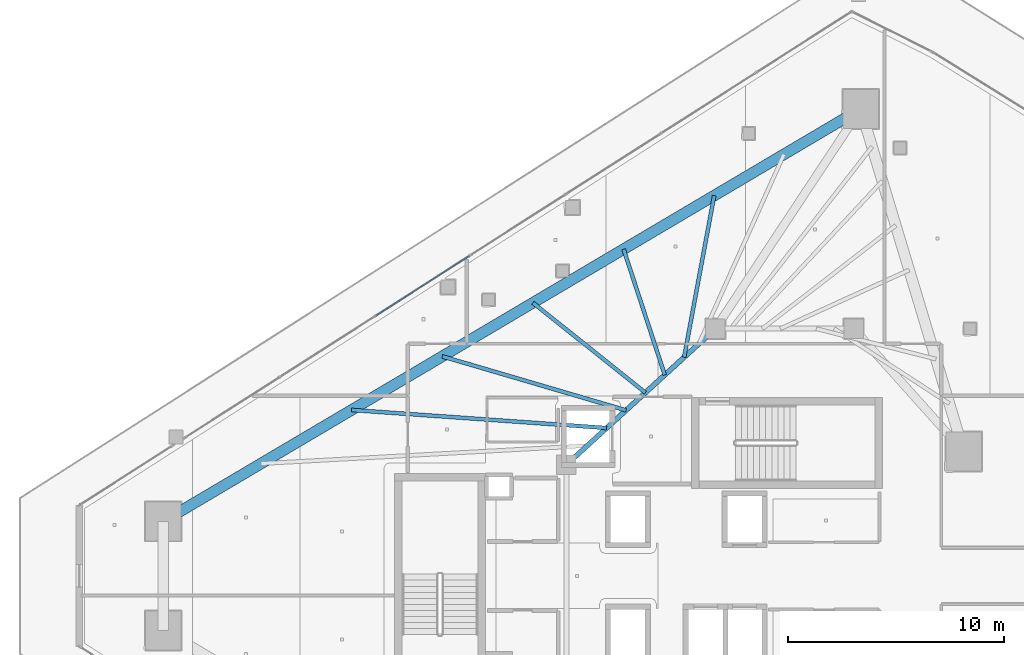
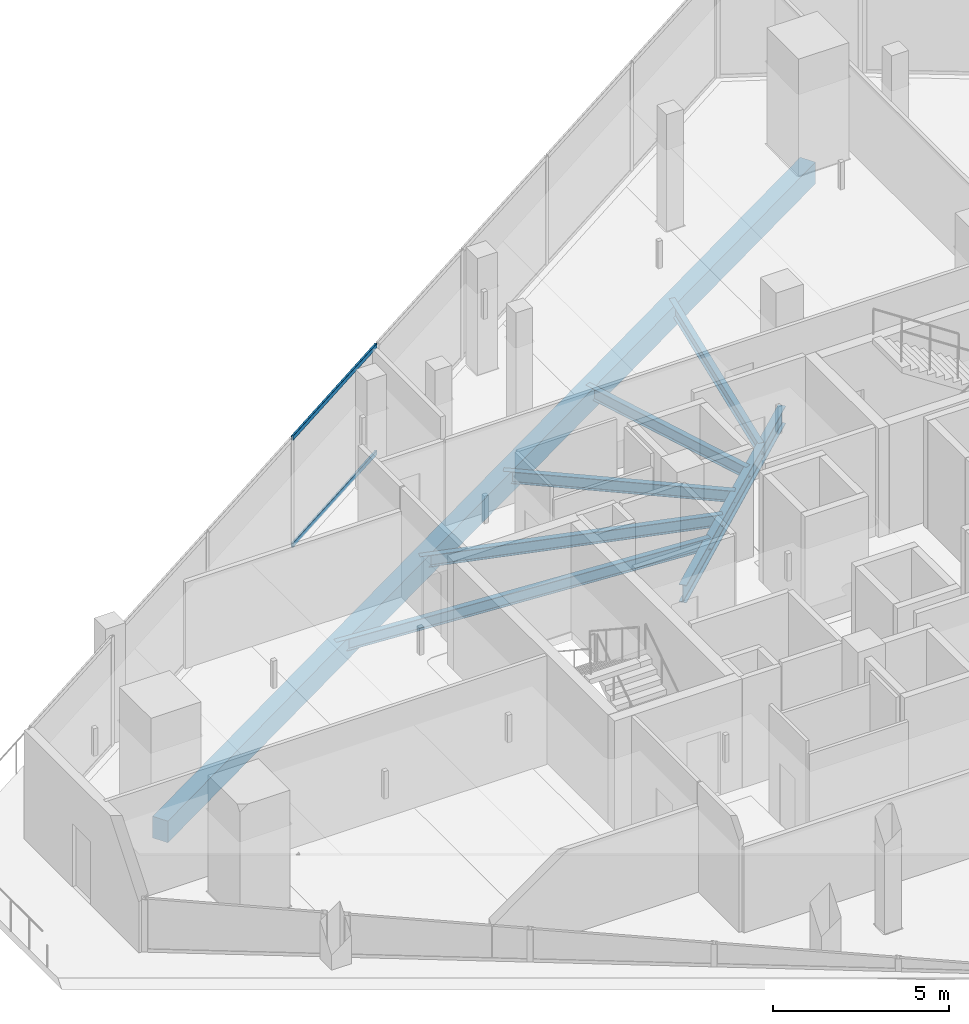
# One storey, part 16 of 33: 7 beams, 2 members, 1 element without a shape of its own.
"""IFC4 building model written with IfcOpenShell, lengths in metres."""

from ifc_helpers import new_model, si_unit, direction, frame, origin, origin_2d, place, context, subcontext, project, spatial, rectangle, hollow_rectangle, i_section, extrude, material, layer, layer_set, material_profile, profile_set, type_object, element, aggregate, save


model = new_model("IFC4")

# Units and contexts
model_context = context("Model", 3, precision=1e-05, world=origin(), true_north=direction((0.0, 1.0)))
body_context = subcontext(model_context, "Body", "Model", "MODEL_VIEW")
ifc_project = project(units=[si_unit("LENGTHUNIT", "METRE"), si_unit("AREAUNIT", "SQUARE_METRE"), si_unit("VOLUMEUNIT", "CUBIC_METRE"), si_unit("PLANEANGLEUNIT", "RADIAN"), si_unit("MASSUNIT", "GRAM", prefix="KILO")], contexts=[model_context])

# Site, building, storey
site_placement = place(None, origin())
site = spatial("IfcSite", under=ifc_project, at=site_placement, CompositionType="ELEMENT")
building_placement = place(site_placement, origin())
building = spatial("IfcBuilding", under=site, at=building_placement, Name="Qorvath Tower", CompositionType="ELEMENT")
storey_placement = place(building_placement, frame((0.0, 0.0, 221.25)))
storey = spatial("IfcBuildingStorey", under=building, at=storey_placement, Name="L51", CompositionType="ELEMENT", Elevation=221.25)

# Beams
ifc_material_1 = material(Name="Steel ASTM A992 Grade 50", Category="steel")
ifc_material_profile_1 = material_profile(ifc_material_1, i_section(OverallWidth=0.22998046875, OverallDepth=0.616943359375, WebThickness=0.01318359375, FlangeThickness=0.022216796875, FilletRadius=0.014892578125, at=origin_2d()), Name="W24x94")
ifc_profile_set_1 = profile_set([ifc_material_profile_1], Name="Steel ASTM A992 Grade 50")
beam_type_1 = type_object("IfcBeamType", Name="BM-FG6", PredefinedType="BEAM", material=ifc_profile_set_1)
beam_1_placement = place(storey_placement, frame((-30.5, 5.14990234375, -0.57861328125), z_axis=(0.73847813985, 0.6742774184, 0.0), x_axis=(-0.6742774184, 0.73847813985, 0.0)))
element("IfcBeam", 1, at=beam_1_placement, inside=storey, type_object=beam_type_1, Name="Core Ring Girder CC5-CC1 L51", PredefinedType="BEAM", context=body_context, shape_type="SweptSolid", body=[
    extrude(i_section(OverallWidth=0.22998046875, OverallDepth=0.616943359375, WebThickness=0.01318359375, FlangeThickness=0.022216796875, FilletRadius=0.014892578125, at=origin_2d()), origin(), (0.0, 0.0, 1.0), 9.343505859375),
])
ifc_material_2 = material(Name="Steel ASTM A992 Grade 50", Category="steel")
ifc_material_profile_2 = material_profile(ifc_material_2, i_section(OverallWidth=0.177978515625, OverallDepth=0.406005859375, WebThickness=0.0078125, FlangeThickness=0.0126953125, FilletRadius=0.010986328125, at=origin_2d()), Name="W16x40")
ifc_profile_set_2 = profile_set([ifc_material_profile_2], Name="Steel ASTM A992 Grade 50")
beam_type_2 = type_object("IfcBeamType", Name="BM-FJ3", PredefinedType="JOIST", material=ifc_profile_set_2)
beam_2_placement = place(storey_placement, frame((-28.636962890625, 6.85107421875, -0.472900390625), z_axis=(-0.997520476731, 0.070376832146, 0.0), x_axis=(-0.070376832146, -0.997520476731, 0.0)))
element("IfcBeam", 2, at=beam_2_placement, inside=storey, type_object=beam_type_2, Name="Composite Floor Joist NW2 L51", PredefinedType="JOIST", context=body_context, shape_type="SweptSolid", body=[
    extrude(i_section(OverallWidth=0.177978515625, OverallDepth=0.406005859375, WebThickness=0.0078125, FlangeThickness=0.0126953125, FilletRadius=0.010986328125, at=origin_2d()), origin(), (0.0, 0.0, 1.0), 11.84326171875),
])
beam_3_placement = place(storey_placement, frame((-27.739990234375, 7.669921875, -0.472900390625), z_axis=(-0.959544992264, 0.281555337049, 0.0), x_axis=(-0.281555337049, -0.959544992264, 0.0)))
element("IfcBeam", 3, at=beam_3_placement, inside=storey, type_object=beam_type_2, Name="Composite Floor Joist NW3 L51", PredefinedType="JOIST", context=body_context, shape_type="SweptSolid", body=[
    extrude(i_section(OverallWidth=0.177978515625, OverallDepth=0.406005859375, WebThickness=0.0078125, FlangeThickness=0.0126953125, FilletRadius=0.010986328125, at=origin_2d()), origin(), (0.0, 0.0, 1.0), 8.87060546875),
])
beam_4_placement = place(storey_placement, frame((-26.843017578125, 8.489013671875, -0.472900390625), z_axis=(-0.781336553339, 0.624109918537, 0.0), x_axis=(-0.624109918537, -0.781336553339, 0.0)))
element("IfcBeam", 4, at=beam_4_placement, inside=storey, type_object=beam_type_2, Name="Composite Floor Joist NW4 L51", PredefinedType="JOIST", context=body_context, shape_type="SweptSolid", body=[
    extrude(i_section(OverallWidth=0.177978515625, OverallDepth=0.406005859375, WebThickness=0.0078125, FlangeThickness=0.0126953125, FilletRadius=0.010986328125, at=origin_2d()), origin(), (0.0, 0.0, 1.0), 6.667724609375),
])
beam_5_placement = place(storey_placement, frame((-25.946044921875, 9.30810546875, -0.472900390625), z_axis=(-0.311228747452, 0.950335028692, 0.0), x_axis=(-0.950335028692, -0.311228747452, 0.0)))
element("IfcBeam", 5, at=beam_5_placement, inside=storey, type_object=beam_type_2, Name="Composite Floor Joist NW5 L51", PredefinedType="JOIST", context=body_context, shape_type="SweptSolid", body=[
    extrude(i_section(OverallWidth=0.177978515625, OverallDepth=0.406005859375, WebThickness=0.0078125, FlangeThickness=0.0126953125, FilletRadius=0.010986328125, at=origin_2d()), origin(), (0.0, 0.0, 1.0), 6.129638671875),
])
beam_6_placement = place(storey_placement, frame((-25.049072265625, 10.126953125, -0.472900390625), z_axis=(0.183026775988, 0.983107928598, 0.0), x_axis=(-0.983107928598, 0.183026775988, 0.0)))
element("IfcBeam", 6, at=beam_6_placement, inside=storey, type_object=beam_type_2, Name="Composite Floor Joist NW6 L51", PredefinedType="JOIST", context=body_context, shape_type="SweptSolid", body=[
    extrude(i_section(OverallWidth=0.177978515625, OverallDepth=0.406005859375, WebThickness=0.0078125, FlangeThickness=0.0126953125, FilletRadius=0.010986328125, at=origin_2d()), origin(), (0.0, 0.0, 1.0), 7.617919921875),
])
ifc_material_3 = material(Name="Concrete C45/55", Category="concrete")
ifc_material_profile_3 = material_profile(ifc_material_3, rectangle(XDim=0.5, YDim=0.75, at=origin_2d()), Name="RCB 750x500")
ifc_profile_set_3 = profile_set([ifc_material_profile_3], Name="Concrete C45/55")
beam_type_3 = type_object("IfcBeamType", Name="BM-RCB3", PredefinedType="SPANDREL", material=ifc_profile_set_3)
beam_7_placement = place(storey_placement, frame((-16.87158203125, 21.627197265625, -0.64501953125), z_axis=(-0.860776759786, -0.50898268125, 0.0), x_axis=(0.50898268125, -0.860776759786, 0.0)))
element("IfcBeam", 7, at=beam_7_placement, inside=storey, type_object=beam_type_3, Name="Perimeter Loggia Frame Beam MC6-MC1 L51", PredefinedType="SPANDREL", context=body_context, shape_type="SweptSolid", body=[
    extrude(rectangle(XDim=0.5, YDim=0.75, at=origin_2d()), origin(), (0.0, 0.0, 1.0), 37.524658203125),
])

# Curtain wall, members
ifc_material_4 = material(Name="Anodised aluminium and triple low-E glass", Category="aluminium")
ifc_layer = layer(ifc_material_4, 0.179931640625)
ifc_layer_set = layer_set([ifc_layer], Name="CW-SYS-3")
curtain_wall_type = type_object("IfcCurtainWallType", Name="CW-SYS-3", PredefinedType="NOTDEFINED", material=ifc_layer_set)
curtain_wall_placement = place(storey_placement, origin())
curtain_wall = element("IfcCurtainWall", 8, at=curtain_wall_placement, inside=storey, type_object=curtain_wall_type, Name="Curtain Wall CW-3 CW-T-L51-16.1", PredefinedType="NOTDEFINED")
ifc_material_5 = material(Name="Anodised aluminium 6063-T6", Category="aluminium")
ifc_material_profile_4 = material_profile(ifc_material_5, hollow_rectangle(XDim=0.06494140625, YDim=0.159912109375, WallThickness=0.00341796875, InnerFilletRadius=0.00341796875, OuterFilletRadius=0.007080078125, at=origin_2d()), Name="CWT 160x65")
ifc_profile_set_4 = profile_set([ifc_material_profile_4], Name="Anodised aluminium 6063-T6")
member_type = type_object("IfcMemberType", Name="CWT-160", PredefinedType="USERDEFINED", material=ifc_profile_set_4)
member_1_placement = place(storey_placement, frame((-34.984619140625, 14.824462890625, 0.032470703125), z_axis=(-0.842603535115, -0.538534383871, 0.0), x_axis=(0.538534383871, -0.842603535115, 0.0)))
member_1 = element("IfcMember", 9, at=member_1_placement, type_object=member_type, Name="CW-3 transom 5.1", ObjectType="TRANSOM", PredefinedType="USERDEFINED", context=body_context, shape_type="SweptSolid", body=[
    extrude(hollow_rectangle(XDim=0.06494140625, YDim=0.159912109375, WallThickness=0.00341796875, InnerFilletRadius=0.00341796875, OuterFilletRadius=0.007080078125, at=origin_2d()), origin(), (0.0, 0.0, 1.0), 5.17724609375),
])
member_2_placement = place(storey_placement, frame((-34.984619140625, 14.824462890625, 3.74755859375), z_axis=(-0.842603535115, -0.538534383871, 0.0), x_axis=(0.538534383871, -0.842603535115, 0.0)))
member_2 = element("IfcMember", 10, at=member_2_placement, type_object=member_type, Name="CW-3 transom 5.2", ObjectType="TRANSOM", PredefinedType="USERDEFINED", context=body_context, shape_type="SweptSolid", body=[
    extrude(hollow_rectangle(XDim=0.06494140625, YDim=0.159912109375, WallThickness=0.00341796875, InnerFilletRadius=0.00341796875, OuterFilletRadius=0.007080078125, at=origin_2d()), origin(), (0.0, 0.0, 1.0), 5.17724609375),
])
aggregate(curtain_wall, [member_1, member_2])

save(model, "model.ifc")
